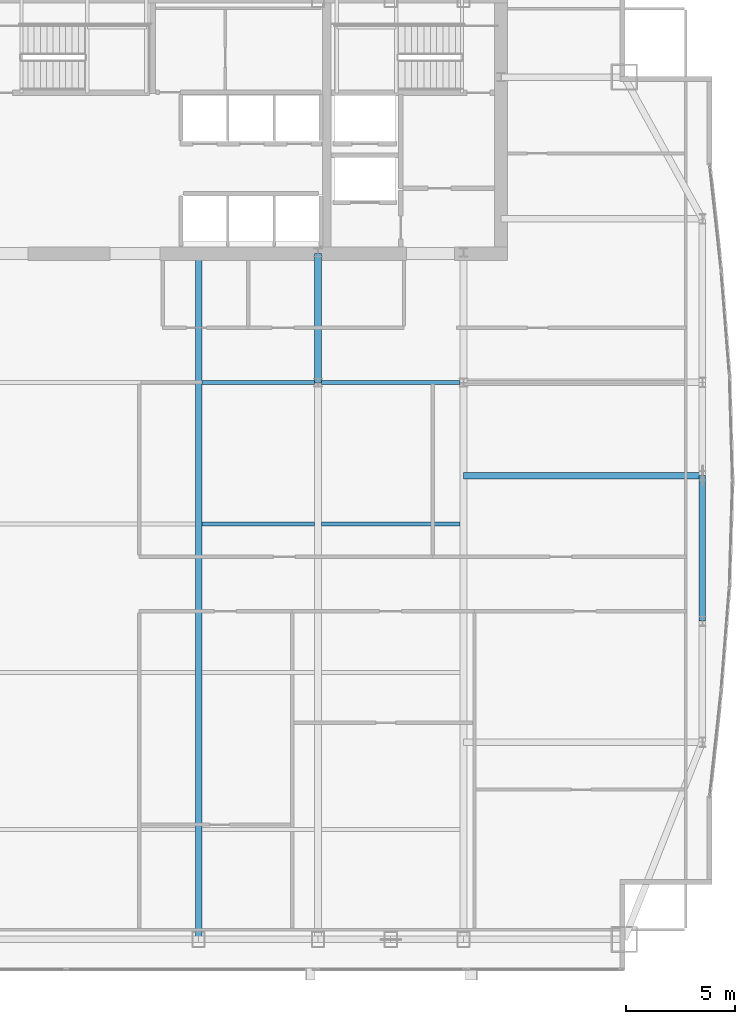
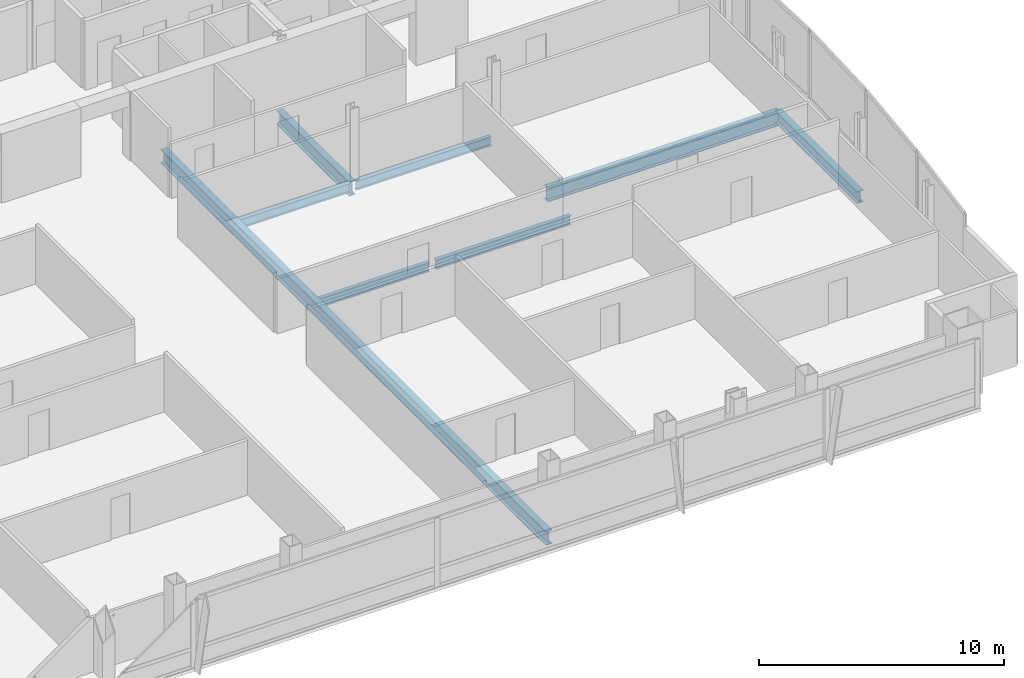
# One storey, part 19 of 32: 8 beams.
"""IFC4 building model written with IfcOpenShell, lengths in metres."""

from ifc_helpers import new_model, si_unit, direction, frame, origin, origin_2d, place, context, subcontext, project, spatial, i_section, extrude, material, material_profile, profile_set, type_object, element, save


model = new_model("IFC4")

# Units and contexts
model_context = context("Model", 3, precision=1e-05, world=origin(), true_north=direction((0.0, 1.0)))
body_context = subcontext(model_context, "Body", "Model", "MODEL_VIEW")
ifc_project = project(units=[si_unit("LENGTHUNIT", "METRE"), si_unit("AREAUNIT", "SQUARE_METRE"), si_unit("VOLUMEUNIT", "CUBIC_METRE"), si_unit("PLANEANGLEUNIT", "RADIAN"), si_unit("MASSUNIT", "GRAM", prefix="KILO")], contexts=[model_context])

# Site, building, storey
site_placement = place(None, origin())
site = spatial("IfcSite", under=ifc_project, at=site_placement, CompositionType="ELEMENT")
building_placement = place(site_placement, origin())
building = spatial("IfcBuilding", under=site, at=building_placement, Name="Khoronbel Lancet Exchange", CompositionType="ELEMENT")
storey_placement = place(building_placement, frame((0.0, 0.0, 195.800048828125)))
storey = spatial("IfcBuildingStorey", under=building, at=storey_placement, Name="L49", CompositionType="ELEMENT", Elevation=195.800048828125)

# Beams
ifc_material = material(Name="Steel S355", Category="steel")
ifc_material_profile_1 = material_profile(ifc_material, i_section(OverallWidth=0.300048828125, OverallDepth=0.699951171875, WebThickness=0.01708984375, FlangeThickness=0.031982421875, at=origin_2d()), Name="HEB 700")
ifc_profile_set_1 = profile_set([ifc_material_profile_1], Name="Steel S355")
beam_type_1 = type_object("IfcBeamType", Name="BM-BG3", PredefinedType="BEAM", material=ifc_profile_set_1)
beam_1_placement = place(storey_placement, frame((42.52490234375, 10.14990234375, -0.510009765625), z_axis=(0.0, 1.0, 0.0), x_axis=(-1.0, 0.0, 0.0)))
element("IfcBeam", 1, at=beam_1_placement, inside=storey, type_object=beam_type_1, Name="Level L49 primary floor girder G4", PredefinedType="BEAM", context=body_context, shape_type="SweptSolid", body=[
    extrude(i_section(OverallWidth=0.300048828125, OverallDepth=0.699951171875, WebThickness=0.01708984375, FlangeThickness=0.031982421875, at=origin_2d()), origin(), (0.0, 0.0, 1.0), 31.4501953125),
])
beam_2_placement = place(storey_placement, frame((48.0, 35.699951171875, -0.510009765625), z_axis=(0.0, 1.0, 0.0), x_axis=(-1.0, 0.0, 0.0)))
element("IfcBeam", 2, at=beam_2_placement, inside=storey, type_object=beam_type_1, Name="Level L49 spine tie girder GN5", PredefinedType="BEAM", context=body_context, shape_type="SweptSolid", body=[
    extrude(i_section(OverallWidth=0.300048828125, OverallDepth=0.699951171875, WebThickness=0.01708984375, FlangeThickness=0.031982421875, at=origin_2d()), origin(), (0.0, 0.0, 1.0), 5.900146484375),
])
beam_3_placement = place(storey_placement, frame((54.675048828125, 31.425048828125, -0.510009765625), z_axis=(1.0, 0.0, 0.0), x_axis=(0.0, 1.0, 0.0)))
element("IfcBeam", 3, at=beam_3_placement, inside=storey, type_object=beam_type_1, Name="Level L49 east lens tie girder LG2E", PredefinedType="BEAM", context=body_context, shape_type="SweptSolid", body=[
    extrude(i_section(OverallWidth=0.300048828125, OverallDepth=0.699951171875, WebThickness=0.01708984375, FlangeThickness=0.031982421875, at=origin_2d()), origin(), (0.0, 0.0, 1.0), 10.954833984375),
])
ifc_material_profile_2 = material_profile(ifc_material, i_section(OverallWidth=0.18994140625, OverallDepth=0.449951171875, WebThickness=0.009521484375, FlangeThickness=0.0146484375, at=origin_2d()), Name="IPE 450")
ifc_profile_set_2 = profile_set([ifc_material_profile_2], Name="Steel S355")
beam_type_2 = type_object("IfcBeamType", Name="BM-BJ4", PredefinedType="JOIST", material=ifc_profile_set_2)
beam_4_placement = place(storey_placement, frame((42.675048828125, 29.199951171875, -0.385009765625), z_axis=(1.0, 0.0, 0.0), x_axis=(0.0, 1.0, 0.0)))
element("IfcBeam", 4, at=beam_4_placement, inside=storey, type_object=beam_type_2, Name="Level L49 secondary composite joist J14", PredefinedType="JOIST", context=body_context, shape_type="SweptSolid", body=[
    extrude(i_section(OverallWidth=0.18994140625, OverallDepth=0.449951171875, WebThickness=0.009521484375, FlangeThickness=0.0146484375, at=origin_2d()), origin(), (0.0, 0.0, 1.0), 5.175048828125),
])
beam_5_placement = place(storey_placement, frame((48.14990234375, 29.199951171875, -0.385009765625), z_axis=(1.0, 0.0, 0.0), x_axis=(0.0, 1.0, 0.0)))
element("IfcBeam", 5, at=beam_5_placement, inside=storey, type_object=beam_type_2, Name="Level L49 secondary composite joist J15", PredefinedType="JOIST", context=body_context, shape_type="SweptSolid", body=[
    extrude(i_section(OverallWidth=0.18994140625, OverallDepth=0.449951171875, WebThickness=0.009521484375, FlangeThickness=0.0146484375, at=origin_2d()), origin(), (0.0, 0.0, 1.0), 6.375),
])
beam_6_placement = place(storey_placement, frame((42.675048828125, 35.699951171875, -0.385009765625), z_axis=(1.0, 0.0, 0.0), x_axis=(0.0, 1.0, 0.0)))
element("IfcBeam", 6, at=beam_6_placement, inside=storey, type_object=beam_type_2, Name="Level L49 secondary composite joist J19", PredefinedType="JOIST", context=body_context, shape_type="SweptSolid", body=[
    extrude(i_section(OverallWidth=0.18994140625, OverallDepth=0.449951171875, WebThickness=0.009521484375, FlangeThickness=0.0146484375, at=origin_2d()), origin(), (0.0, 0.0, 1.0), 5.175048828125),
])
beam_7_placement = place(storey_placement, frame((48.14990234375, 35.699951171875, -0.385009765625), z_axis=(1.0, 0.0, 0.0), x_axis=(0.0, 1.0, 0.0)))
element("IfcBeam", 7, at=beam_7_placement, inside=storey, type_object=beam_type_2, Name="Level L49 secondary composite joist J20", PredefinedType="JOIST", context=body_context, shape_type="SweptSolid", body=[
    extrude(i_section(OverallWidth=0.18994140625, OverallDepth=0.449951171875, WebThickness=0.009521484375, FlangeThickness=0.0146484375, at=origin_2d()), origin(), (0.0, 0.0, 1.0), 6.375),
])
ifc_material_profile_3 = material_profile(ifc_material, i_section(OverallWidth=0.300048828125, OverallDepth=0.60009765625, WebThickness=0.015380859375, FlangeThickness=0.030029296875, at=origin_2d()), Name="HEB 600")
ifc_profile_set_3 = profile_set([ifc_material_profile_3], Name="Steel S355")
beam_type_3 = type_object("IfcBeamType", Name="BM-BSP2", PredefinedType="SPANDREL", material=ifc_profile_set_3)
beam_8_placement = place(storey_placement, frame((65.6298828125, 24.75, -0.4599609375), z_axis=(0.0, 1.0, 0.0), x_axis=(-1.0, 0.0, 0.0)))
element("IfcBeam", 8, at=beam_8_placement, inside=storey, type_object=beam_type_3, Name="Level L49 perimeter spandrel beam SP12", PredefinedType="SPANDREL", context=body_context, shape_type="SweptSolid", body=[
    extrude(i_section(OverallWidth=0.300048828125, OverallDepth=0.60009765625, WebThickness=0.015380859375, FlangeThickness=0.030029296875, at=origin_2d()), origin(), (0.0, 0.0, 1.0), 6.675048828125),
])

save(model, "model.ifc")
